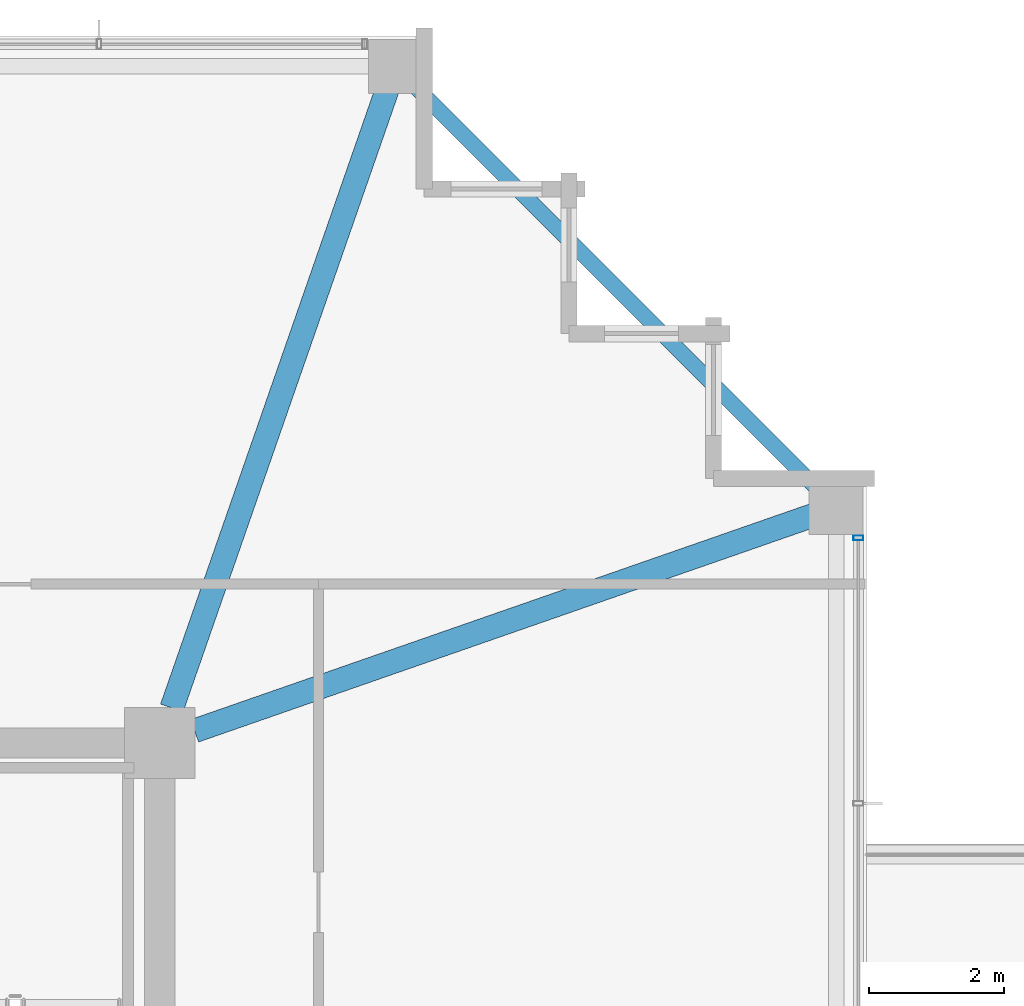
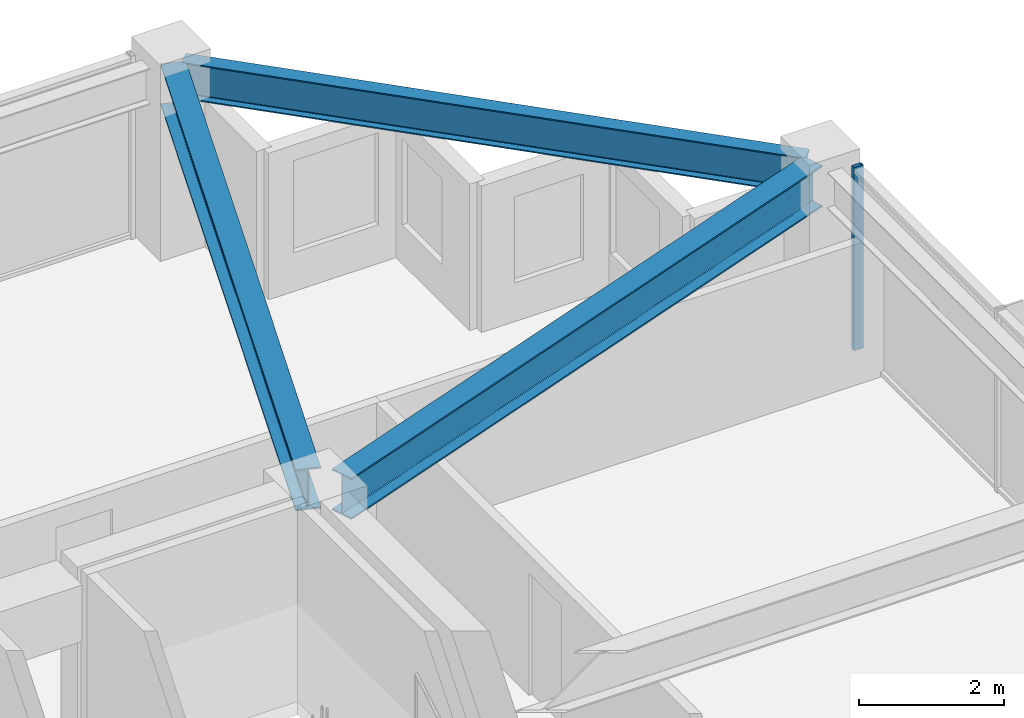
# One storey, part 19 of 34: 3 beams, 1 member, 1 element without a shape of its own.
"""IFC4 building model written with IfcOpenShell, lengths in metres."""

import ifcopenshell
import ifcopenshell.guid

model = None  # the IFC model being written
_history = None  # IfcOwnerHistory: only IFC2X3 demands one
_inside = {}  # id of a spatial element -> (the spatial element, [elements in it])
_under = {}  # id of a project, library or spatial element -> (it, [spatial elements below it])
_declared = {}  # id of a project -> (the project, [libraries it declares])
_typed = {}  # id of a type object -> (the type object, [elements of that type])
_made_of = {}  # id of a material, layer set ... -> (it, [elements and type objects made of it])


def new_model(schema):
    """Start an empty IFC model of exactly this schema.

    Asked for "IFC4X3", IfcOpenShell would pick the latest addendum, in which some entities
    have other attributes; the version numbers below select the first issue.
    IFC2X3 requires an IfcOwnerHistory on every rooted entity: one is made here for all.
    """
    global model, _history
    if schema == "IFC4X3":
        model = ifcopenshell.file(schema_version=(4, 3, 0, 0))
    else:
        model = ifcopenshell.file(schema=schema)
    _inside.clear()
    _under.clear()
    _declared.clear()
    _typed.clear()
    _made_of.clear()
    _history = None
    if model.schema == "IFC2X3":
        org = make("IfcOrganization", Name="unknown")
        user = make(
            "IfcPersonAndOrganization",
            ThePerson=make("IfcPerson", FamilyName="unknown"),
            TheOrganization=org,
        )
        app = make(
            "IfcApplication",
            ApplicationDeveloper=org,
            Version="unknown",
            ApplicationFullName="unknown",
            ApplicationIdentifier="unknown",
        )
        _history = make(
            "IfcOwnerHistory",
            OwningUser=user,
            OwningApplication=app,
            ChangeAction="ADDED",
            CreationDate=0,
        )
    return model


def make(cls, **values):
    """One entity of the class cls with the attributes given. An attribute that is None is left unset."""
    return model.create_entity(
        cls, **{name: value for name, value in values.items() if value is not None}
    )


def rooted(cls, **values):
    """An entity with a GlobalId (a new one), such as an element, a storey or a relation."""
    return make(cls, GlobalId=ifcopenshell.guid.new(), OwnerHistory=_history, **values)


def si_unit(unit_type, name, prefix=None):
    """IfcSIUnit, for example si_unit("LENGTHUNIT", "METRE", prefix="MILLI")."""
    return make("IfcSIUnit", UnitType=unit_type, Prefix=prefix, Name=name)


def assignment(units):
    """IfcUnitAssignment: the units of a project."""
    return None if units is None else make("IfcUnitAssignment", Units=units)


def point(xyz):
    """IfcCartesianPoint."""
    return None if xyz is None else make("IfcCartesianPoint", Coordinates=xyz)


def direction(xyz):
    """IfcDirection."""
    return None if xyz is None else make("IfcDirection", DirectionRatios=xyz)


def frame(location, z_axis=None, x_axis=None):
    """IfcAxis2Placement3D, a coordinate frame: its origin and axes. An axis left out is left unset."""
    return make(
        "IfcAxis2Placement3D",
        Location=point(location),
        Axis=direction(z_axis),
        RefDirection=direction(x_axis),
    )


def frame_2d(location, x_axis=None):
    """IfcAxis2Placement2D, a coordinate frame in the plane: its origin and x axis."""
    return make(
        "IfcAxis2Placement2D", Location=point(location), RefDirection=direction(x_axis)
    )


def origin():
    """The frame at (0, 0, 0) with its axes left unset."""
    return frame((0.0, 0.0, 0.0))


def origin_2d():
    """The frame at (0, 0) in the plane with its x axis left unset."""
    return frame_2d((0.0, 0.0))


def place(relative_to, where):
    """IfcLocalPlacement: puts the frame where relative to a parent placement (None: the world)."""
    return make(
        "IfcLocalPlacement", PlacementRelTo=relative_to, RelativePlacement=where
    )


def context(
    kind, dimensions, precision=None, world=None, true_north=None, identifier=None
):
    """IfcGeometricRepresentationContext, for example the 3D "Model" context."""
    return make(
        "IfcGeometricRepresentationContext",
        ContextIdentifier=identifier,
        ContextType=kind,
        CoordinateSpaceDimension=dimensions,
        Precision=precision,
        WorldCoordinateSystem=world,
        TrueNorth=true_north,
    )


def subcontext(parent, identifier, kind, view, scale=None):
    """IfcGeometricRepresentationSubContext, for example "Body" below "Model"."""
    return make(
        "IfcGeometricRepresentationSubContext",
        ContextIdentifier=identifier,
        ContextType=kind,
        ParentContext=parent,
        TargetScale=scale,
        TargetView=view,
    )


def project(units=None, contexts=None):
    """IfcProject with its units and contexts."""
    return rooted(
        "IfcProject",
        Name="project",
        RepresentationContexts=contexts,
        UnitsInContext=assignment(units),
    )


def spatial(cls, under=None, at=None, **own):
    """A site, building, storey or space (cls), placed at a placement, below another one or the project."""
    s = rooted(cls, ObjectPlacement=at, **own)
    if under is not None:
        _under.setdefault(under.id(), (under, []))[1].append(s)
    return s


def profile(cls, at=None, kind="AREA", **sizes):
    """A parametric profile (cls). Its sizes go by their IFC names, for example OverallWidth=200.0."""
    return make(cls, ProfileType=kind, Position=at, **sizes)


def hollow_rectangle(**sizes):
    """IfcRectangleHollowProfileDef."""
    return profile("IfcRectangleHollowProfileDef", **sizes)


def i_section(**sizes):
    """IfcIShapeProfileDef."""
    return profile("IfcIShapeProfileDef", **sizes)


def extrude(swept, where, along, depth):
    """IfcExtrudedAreaSolid: the profile swept, set in the frame where, extruded along a direction by depth."""
    return make(
        "IfcExtrudedAreaSolid",
        SweptArea=swept,
        Position=where,
        ExtrudedDirection=direction(along),
        Depth=depth,
    )


def shape(context_of_items, identifier, shape_type, items):
    """IfcShapeRepresentation: the items that make up one representation, for example the "Body"."""
    return make(
        "IfcShapeRepresentation",
        ContextOfItems=context_of_items,
        RepresentationIdentifier=identifier,
        RepresentationType=shape_type,
        Items=items,
    )


def material(Name=None, Category=None):
    """IfcMaterial."""
    return make("IfcMaterial", Name=Name, Category=Category)


def material_profile(
    of_material, cross_section, Name=None, Category=None, Priority=None
):
    """IfcMaterialProfile: a cross section and its material."""
    return make(
        "IfcMaterialProfile",
        Name=Name,
        Material=of_material,
        Profile=cross_section,
        Priority=Priority,
        Category=Category,
    )


def profile_set(profiles, Name=None, composite=None):
    """IfcMaterialProfileSet."""
    return make(
        "IfcMaterialProfileSet",
        Name=Name,
        MaterialProfiles=profiles,
        CompositeProfile=composite,
    )


def made_of(thing, what):
    """Note that an element or type object is made of a material, layer set ...; save() writes the relation."""
    if what is not None:
        _made_of.setdefault(what.id(), (what, []))[1].append(thing)
    return thing


def type_object(cls, material=None, **own):
    """A type object (cls), such as IfcWallType, which elements share."""
    return made_of(rooted(cls, **own), material)


def element(
    cls,
    number,
    at=None,
    inside=None,
    cuts=None,
    type_object=None,
    material=None,
    context=None,
    identifier="Body",
    shape_type=None,
    held_by="IfcProductDefinitionShape",
    body=None,
    shapes=None,
    **own,
):
    """One element of the class cls, such as IfcWall. Its Tag is "e" and its number.

    at: its placement. inside: the storey or other place that contains it. cuts: it is an
    opening in that element (IfcRelVoidsElement). A single representation is given by context,
    identifier, shape_type and body (its items); several are given by shapes. held_by: the class
    of the entity that holds the representations. save() writes the other relations.
    """
    e = rooted(cls, Tag="e%d" % number, ObjectPlacement=at, **own)
    if body is not None:
        shapes = [shape(context, identifier, shape_type, body)]
    if shapes is not None:
        e.Representation = make(held_by, Representations=shapes)
    if inside is not None:
        _inside.setdefault(inside.id(), (inside, []))[1].append(e)
    if cuts is not None:
        rooted(
            "IfcRelVoidsElement", RelatingBuildingElement=cuts, RelatedOpeningElement=e
        )
    if type_object is not None:
        _typed.setdefault(type_object.id(), (type_object, []))[1].append(e)
    return made_of(e, material)


def aggregate(whole, parts):
    """IfcRelAggregates: a whole, such as a stair, and the parts it consists of."""
    return rooted("IfcRelAggregates", RelatingObject=whole, RelatedObjects=parts)


def save(model, path):
    """Write the relations noted so far, then the file.

    IfcRelAggregates (storeys below a building ...), IfcRelContainedInSpatialStructure (elements
    in a storey), IfcRelDefinesByType, IfcRelAssociatesMaterial and IfcRelDeclares: one each for
    every whole, place, type object, material and project.
    """
    for whole, parts in _under.values():
        aggregate(whole, parts)
    for where, things in _inside.values():
        rooted(
            "IfcRelContainedInSpatialStructure",
            RelatedElements=things,
            RelatingStructure=where,
        )
    for kind, things in _typed.values():
        rooted("IfcRelDefinesByType", RelatedObjects=things, RelatingType=kind)
    for what, things in _made_of.values():
        rooted("IfcRelAssociatesMaterial", RelatedObjects=things, RelatingMaterial=what)
    for by, libraries in _declared.values():
        rooted("IfcRelDeclares", RelatingContext=by, RelatedDefinitions=libraries)
    model.write(path)


model = new_model("IFC4")

# Units and contexts
model_context = context("Model", 3, precision=1e-05, world=origin(), true_north=direction((0.0, 1.0)))
body_context = subcontext(model_context, "Body", "Model", "MODEL_VIEW")
ifc_project = project(units=[si_unit("LENGTHUNIT", "METRE"), si_unit("AREAUNIT", "SQUARE_METRE"), si_unit("VOLUMEUNIT", "CUBIC_METRE"), si_unit("PLANEANGLEUNIT", "RADIAN"), si_unit("MASSUNIT", "GRAM", prefix="KILO")], contexts=[model_context])

# Site, building, storey
site_placement = place(None, origin())
site = spatial("IfcSite", under=ifc_project, at=site_placement, CompositionType="ELEMENT")
building_placement = place(site_placement, origin())
building = spatial("IfcBuilding", under=site, at=building_placement, Name="Kolvaren Belvedere", CompositionType="ELEMENT")
storey_placement = place(building_placement, frame((0.0, 0.0, 222.89990234375)))
storey = spatial("IfcBuildingStorey", under=building, at=storey_placement, Name="L65", CompositionType="ELEMENT", Elevation=222.89990234375)

# Beams
ifc_material_1 = material(Name="Structural steel ASTM A992 Grade 50", Category="steel")
ifc_material_profile_1 = material_profile(ifc_material_1, i_section(OverallWidth=0.35498046875, OverallDepth=0.696044921875, WebThickness=0.015380859375, FlangeThickness=0.02490234375, FilletRadius=0.02197265625, at=origin_2d()), Name="W27X146")
ifc_profile_set_1 = profile_set([ifc_material_profile_1], Name="Structural steel ASTM A992 Grade 50")
beam_type_1 = type_object("IfcBeamType", Name="BM-GIRD-W27X146", PredefinedType="BEAM", material=ifc_profile_set_1)
for number, where, z_axis, x_axis, name in (
    (1, (10.080810546875, 10.41943359375, 2.732177734375), (0.328898147971, 0.944365399758, 0.0), (-0.944365399758, 0.328898147971, 0.0), "L65 Corner Core-to-Perimeter Girder CC3-N4"),
    (2, (10.41943359375, 10.080810546875, 2.732177734375), (0.944365399758, 0.328898147971, 0.0), (-0.328898147971, 0.944365399758, 0.0), "L65 Corner Core-to-Perimeter Girder CC3-E4"),
):
    element("IfcBeam", number, at=place(storey_placement, frame(where, z_axis=z_axis, x_axis=x_axis)), inside=storey, type_object=beam_type_1, Name=name, PredefinedType="BEAM", context=body_context, shape_type="SweptSolid", body=[
        extrude(i_section(OverallWidth=0.35498046875, OverallDepth=0.696044921875, WebThickness=0.015380859375, FlangeThickness=0.02490234375, FilletRadius=0.02197265625, at=origin_2d()), origin(), (0.0, 0.0, 1.0), 9.931884765625),
    ])
ifc_material_2 = material(Name="Structural steel ASTM A992 Grade 50", Category="steel")
ifc_material_profile_2 = material_profile(ifc_material_2, i_section(OverallWidth=0.22900390625, OverallDepth=0.612060546875, WebThickness=0.011962890625, FlangeThickness=0.01953125, FilletRadius=0.01806640625, at=origin_2d()), Name="W24X84")
ifc_profile_set_2 = profile_set([ifc_material_profile_2], Name="Structural steel ASTM A992 Grade 50")
beam_type_2 = type_object("IfcBeamType", Name="BM-SPAN-W24X84", PredefinedType="SPANDREL", material=ifc_profile_set_2)
beam_placement = place(storey_placement, frame((19.82275390625, 13.52734375, 2.774169921875), z_axis=(-0.707106781187, 0.707106781187, 0.0), x_axis=(-0.707106781187, -0.707106781187, 0.0)))
element("IfcBeam", 3, at=beam_placement, inside=storey, type_object=beam_type_2, Name="L65 Perimeter Spandrel E4-N4", PredefinedType="SPANDREL", context=body_context, shape_type="SweptSolid", body=[
    extrude(i_section(OverallWidth=0.22900390625, OverallDepth=0.612060546875, WebThickness=0.011962890625, FlangeThickness=0.01953125, FilletRadius=0.01806640625, at=origin_2d()), origin(), (0.0, 0.0, 1.0), 8.903076171875),
])

# Curtain wall, member
ifc_material_3 = material(Name="Anodised pale-metal aluminium AA 6063-T6", Category="aluminium")
curtain_wall_type = type_object("IfcCurtainWallType", Name="CW-Z5-HIGH", PredefinedType="NOTDEFINED", material=ifc_material_3)
curtain_wall_placement = place(storey_placement, origin())
curtain_wall = element("IfcCurtainWall", 4, at=curtain_wall_placement, inside=storey, type_object=curtain_wall_type, Name="L65 Unitised Curtain Wall FCW-L65-E1-B1", PredefinedType="NOTDEFINED")
ifc_material_4 = material(Name="Anodised pale-metal aluminium AA 6063-T6", Category="aluminium")
ifc_material_profile_3 = material_profile(ifc_material_4, hollow_rectangle(XDim=0.070068359375, YDim=0.14990234375, WallThickness=0.004150390625, at=origin_2d()), Name="ALU-MUL-150X70")
ifc_profile_set_3 = profile_set([ifc_material_profile_3], Name="Anodised pale-metal aluminium AA 6063-T6")
member_type = type_object("IfcMemberType", Name="CW-MUL-150", PredefinedType="MULLION", material=ifc_profile_set_3)
member_placement = place(storey_placement, frame((20.280029296875, 12.945068359375, 0.0), z_axis=(0.0, 0.0, 1.0), x_axis=(0.0, 1.0, 0.0)))
member = element("IfcMember", 5, at=member_placement, type_object=member_type, Name="FCW-L65-E1-B1 Unitised Mullion 1", PredefinedType="MULLION", context=body_context, shape_type="SweptSolid", body=[
    extrude(hollow_rectangle(XDim=0.070068359375, YDim=0.14990234375, WallThickness=0.004150390625, at=origin_2d()), origin(), (0.0, 0.0, 1.0), 3.080078125),
])
aggregate(curtain_wall, [member])

save(model, "model.ifc")
